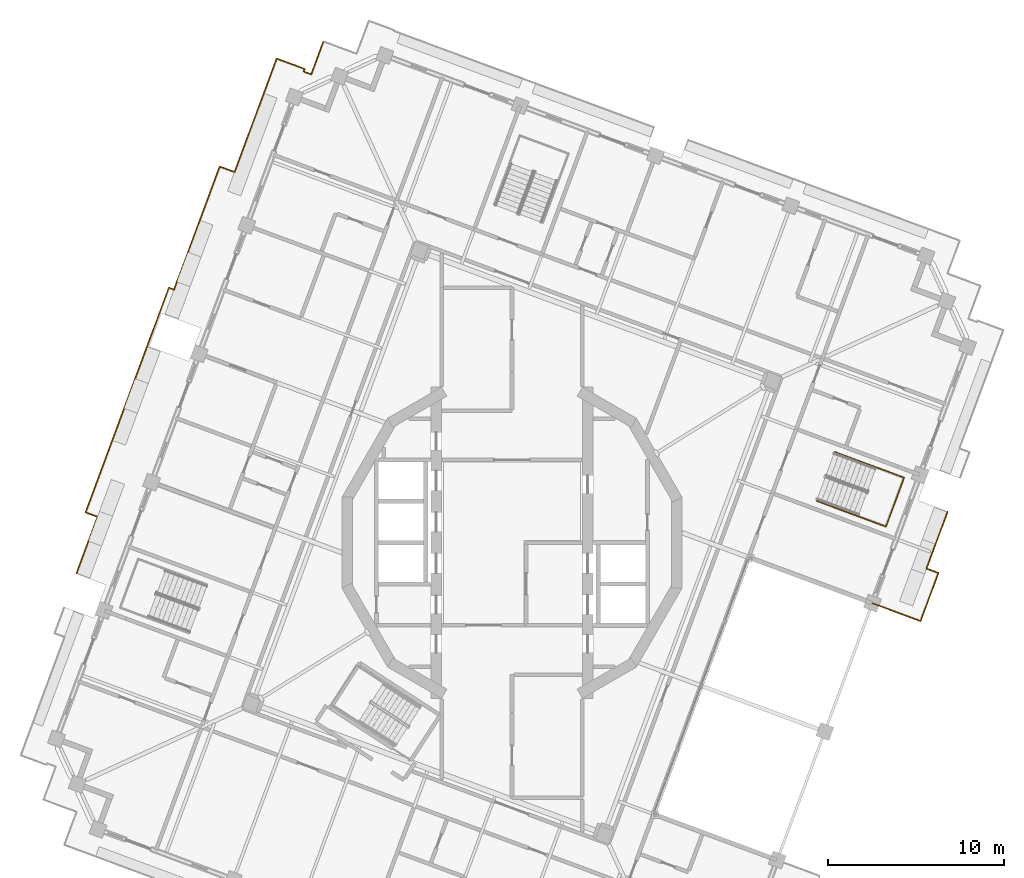
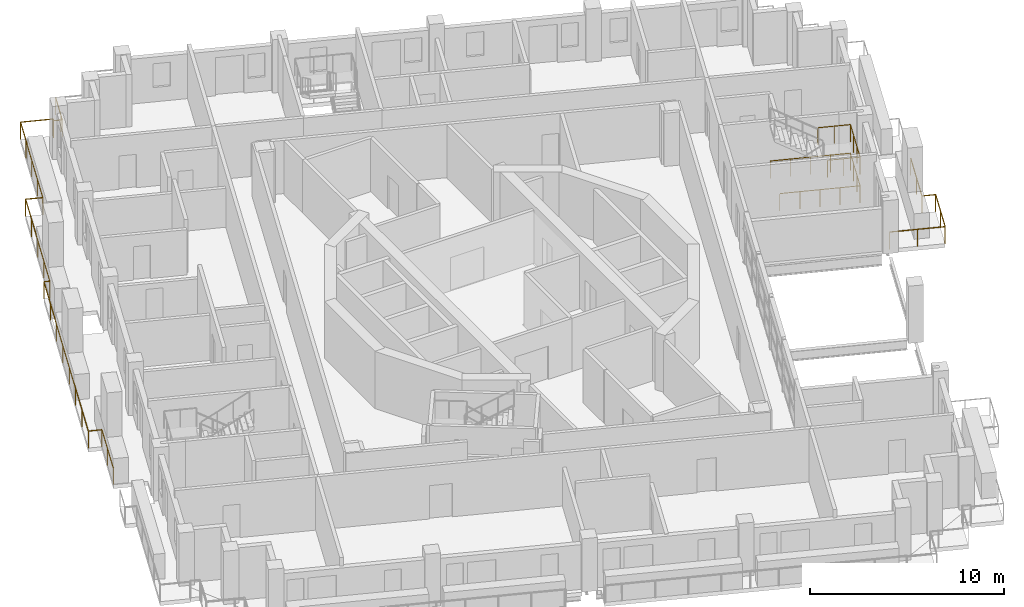
# One storey, part 16 of 19: 5 railings.
"""IFC4 building model written with IfcOpenShell, lengths in metres."""

from ifc_helpers import new_model, si_unit, direction, frame, origin, origin_2d, place, context, subcontext, project, spatial, circle, extrude, material, type_object, element, save


model = new_model("IFC4")

# Units and contexts
model_context = context("Model", 3, precision=1e-05, world=origin(), true_north=direction((0.0, 1.0)))
body_context = subcontext(model_context, "Body", "Model", "MODEL_VIEW")
ifc_project = project(units=[si_unit("LENGTHUNIT", "METRE"), si_unit("AREAUNIT", "SQUARE_METRE"), si_unit("VOLUMEUNIT", "CUBIC_METRE"), si_unit("PLANEANGLEUNIT", "RADIAN"), si_unit("MASSUNIT", "GRAM", prefix="KILO")], contexts=[model_context])

# Site, building, storey
site_placement = place(None, origin())
site = spatial("IfcSite", under=ifc_project, at=site_placement, CompositionType="ELEMENT")
building_placement = place(site_placement, origin())
building = spatial("IfcBuilding", under=site, at=building_placement, Name="Cantera Rosa Tower", CompositionType="ELEMENT")
storey_placement = place(building_placement, frame((0.0, 0.0, 334.89990234375)))
storey = spatial("IfcBuildingStorey", under=building, at=storey_placement, Name="L75", CompositionType="ELEMENT", Elevation=334.89990234375)

# Railings
ifc_material_1 = material(Name="Stainless steel and laminated glass", Category="steel")
railing_type_1 = type_object("IfcRailingType", Name="GUARD 1100", PredefinedType="BALUSTRADE", material=ifc_material_1)
railing_1_placement = place(storey_placement, frame((-24.750244140625, -1.748779296875, 0.0)))
element("IfcRailing", 1, at=railing_1_placement, inside=storey, type_object=railing_type_1, Name="GUARD L75-6", PredefinedType="BALUSTRADE", context=body_context, shape_type="SweptSolid", body=[
    extrude(circle(Radius=0.030029296875, at=origin_2d()), frame((0.0, 0.0, 1.070068359375), z_axis=(0.347455720104, 0.937696391465, 0.0), x_axis=(-0.937696391465, 0.347455720104, 0.0)), (0.0, 0.0, 1.0), 3.43115234375),
    extrude(circle(Radius=0.030029296875, at=origin_2d()), frame((1.192138671875, 3.21728515625, 1.070068359375), z_axis=(-0.937662671744, 0.347546707679, 0.0), x_axis=(-0.347546707679, -0.937662671744, 0.0)), (0.0, 0.0, 1.0), 0.718505859375),
    extrude(circle(Radius=0.030029296875, at=origin_2d()), frame((0.518310546875, 3.467041015625, 1.070068359375), z_axis=(0.347474337492, 0.937689492734, 0.0), x_axis=(-0.937689492734, 0.347474337492, 0.0)), (0.0, 0.0, 1.0), 13.6181640625),
    extrude(circle(Radius=0.030029296875, at=origin_2d()), frame((5.250244140625, 16.236572265625, 1.070068359375), z_axis=(0.937570310623, -0.347795791576, 0.0), x_axis=(0.347795791576, 0.937570310623, 0.0)), (0.0, 0.0, 1.0), 0.313720703125),
    extrude(circle(Radius=0.030029296875, at=origin_2d()), frame((5.54443359375, 16.12744140625, 1.070068359375), z_axis=(0.347483678672, 0.937686031173, 0.0), x_axis=(-0.937686031173, 0.347483678672, 0.0)), (0.0, 0.0, 1.0), 7.466552734375),
    extrude(circle(Radius=0.030029296875, at=origin_2d()), frame((8.138916015625, 23.128662109375, 1.070068359375), z_axis=(0.937641368545, -0.34760417718, 0.0), x_axis=(0.34760417718, 0.937641368545, 0.0)), (0.0, 0.0, 1.0), 0.9052734375),
    extrude(circle(Radius=0.030029296875, at=origin_2d()), frame((8.98779296875, 22.81396484375, 1.070068359375), z_axis=(0.347493627455, 0.937682344335, 0.0), x_axis=(-0.937682344335, 0.347493627455, 0.0)), (0.0, 0.0, 1.0), 6.874755859375),
    extrude(circle(Radius=0.030029296875, at=origin_2d()), frame((11.376708984375, 29.26025390625, 1.070068359375), z_axis=(0.93766211216, -0.347548217403, 0.0), x_axis=(0.347548217403, 0.93766211216, 0.0)), (0.0, 0.0, 1.0), 1.699951171875),
    extrude(circle(Radius=0.030029296875, at=origin_2d()), frame((12.970703125, 28.66943359375, 1.070068359375), z_axis=(-0.348345544994, -0.937366193802, 0.0), x_axis=(0.937366193802, -0.348345544994, 0.0)), (0.0, 0.0, 1.0), 0.154296875),
    extrude(circle(Radius=0.030029296875, at=origin_2d()), frame((12.9169921875, 28.52490234375, 1.070068359375), z_axis=(0.937800612421, -0.34717432414, 0.0), x_axis=(0.34717432414, 0.937800612421, 0.0)), (0.0, 0.0, 1.0), 0.454345703125),
    extrude(circle(Radius=0.030029296875, at=origin_2d()), frame((13.343017578125, 28.3671875, 1.070068359375), z_axis=(0.347349380186, 0.937735787994, 0.0), x_axis=(-0.937735787994, 0.347349380186, 0.0)), (0.0, 0.0, 1.0), 0.4541015625),
    extrude(circle(Radius=0.030029296875, at=origin_2d()), frame((13.500732421875, 28.79296875, 1.070068359375), z_axis=(0.347468671564, 0.937691592306, 0.0), x_axis=(-0.937691592306, 0.347468671564, 0.0)), (0.0, 0.0, 1.0), 1.5458984375),
    extrude(circle(Radius=0.02490234375, at=origin_2d()), origin(), (0.0, 0.0, 1.0), 1.0400390625),
    extrude(circle(Radius=0.02490234375, at=origin_2d()), frame((0.59619140625, 1.608642578125, 0.0)), (0.0, 0.0, 1.0), 1.0400390625),
    extrude(circle(Radius=0.02490234375, at=origin_2d()), frame((1.192138671875, 3.21728515625, 0.0)), (0.0, 0.0, 1.0), 1.0400390625),
    extrude(circle(Radius=0.02490234375, at=origin_2d()), frame((0.518310546875, 3.467041015625, 0.0)), (0.0, 0.0, 1.0), 1.0400390625),
    extrude(circle(Radius=0.02490234375, at=origin_2d()), frame((1.1943359375, 5.291259765625, 0.0)), (0.0, 0.0, 1.0), 1.0400390625),
    extrude(circle(Radius=0.02490234375, at=origin_2d()), frame((1.870361328125, 7.115478515625, 0.0)), (0.0, 0.0, 1.0), 1.0400390625),
    extrude(circle(Radius=0.02490234375, at=origin_2d()), frame((2.54638671875, 8.939697265625, 0.0)), (0.0, 0.0, 1.0), 1.0400390625),
    extrude(circle(Radius=0.02490234375, at=origin_2d()), frame((3.22216796875, 10.763916015625, 0.0)), (0.0, 0.0, 1.0), 1.0400390625),
    extrude(circle(Radius=0.02490234375, at=origin_2d()), frame((3.898193359375, 12.588134765625, 0.0)), (0.0, 0.0, 1.0), 1.0400390625),
    extrude(circle(Radius=0.02490234375, at=origin_2d()), frame((4.57421875, 14.412353515625, 0.0)), (0.0, 0.0, 1.0), 1.0400390625),
    extrude(circle(Radius=0.02490234375, at=origin_2d()), frame((5.250244140625, 16.236572265625, 0.0)), (0.0, 0.0, 1.0), 1.0400390625),
    extrude(circle(Radius=0.02490234375, at=origin_2d()), frame((5.54443359375, 16.12744140625, 0.0)), (0.0, 0.0, 1.0), 1.0400390625),
    extrude(circle(Radius=0.02490234375, at=origin_2d()), frame((6.193115234375, 17.877685546875, 0.0)), (0.0, 0.0, 1.0), 1.0400390625),
    extrude(circle(Radius=0.02490234375, at=origin_2d()), frame((6.841796875, 19.6279296875, 0.0)), (0.0, 0.0, 1.0), 1.0400390625),
    extrude(circle(Radius=0.02490234375, at=origin_2d()), frame((7.490234375, 21.37841796875, 0.0)), (0.0, 0.0, 1.0), 1.0400390625),
    extrude(circle(Radius=0.02490234375, at=origin_2d()), frame((8.138916015625, 23.128662109375, 0.0)), (0.0, 0.0, 1.0), 1.0400390625),
    extrude(circle(Radius=0.02490234375, at=origin_2d()), frame((8.98779296875, 22.81396484375, 0.0)), (0.0, 0.0, 1.0), 1.0400390625),
    extrude(circle(Radius=0.02490234375, at=origin_2d()), frame((9.5849609375, 24.425537109375, 0.0)), (0.0, 0.0, 1.0), 1.0400390625),
    extrude(circle(Radius=0.02490234375, at=origin_2d()), frame((10.18212890625, 26.037109375, 0.0)), (0.0, 0.0, 1.0), 1.0400390625),
    extrude(circle(Radius=0.02490234375, at=origin_2d()), frame((10.779541015625, 27.648681640625, 0.0)), (0.0, 0.0, 1.0), 1.0400390625),
    extrude(circle(Radius=0.02490234375, at=origin_2d()), frame((11.376708984375, 29.26025390625, 0.0)), (0.0, 0.0, 1.0), 1.0400390625),
    extrude(circle(Radius=0.02490234375, at=origin_2d()), frame((12.970703125, 28.66943359375, 0.0)), (0.0, 0.0, 1.0), 1.0400390625),
    extrude(circle(Radius=0.02490234375, at=origin_2d()), frame((12.9169921875, 28.52490234375, 0.0)), (0.0, 0.0, 1.0), 1.0400390625),
    extrude(circle(Radius=0.02490234375, at=origin_2d()), frame((13.343017578125, 28.3671875, 0.0)), (0.0, 0.0, 1.0), 1.0400390625),
    extrude(circle(Radius=0.02490234375, at=origin_2d()), frame((13.500732421875, 28.79296875, 0.0)), (0.0, 0.0, 1.0), 1.0400390625),
    extrude(circle(Radius=0.02490234375, at=origin_2d()), frame((14.037841796875, 30.242431640625, 0.0)), (0.0, 0.0, 1.0), 1.0400390625),
])
railing_2_placement = place(storey_placement, frame((24.23193359375, -1.71826171875, 0.0)))
element("IfcRailing", 2, at=railing_2_placement, inside=storey, type_object=railing_type_1, Name="GUARD L75-7", PredefinedType="BALUSTRADE", context=body_context, shape_type="SweptSolid", body=[
    extrude(circle(Radius=0.030029296875, at=origin_2d()), frame((0.0, 0.0, 1.070068359375), z_axis=(-0.347445111024, -0.937700322505, 0.0), x_axis=(0.937700322505, -0.347445111024, 0.0)), (0.0, 0.0, 1.0), 2.9189453125),
    extrude(circle(Radius=0.030029296875, at=origin_2d()), frame((-1.01416015625, -2.737060546875, 1.070068359375), z_axis=(-0.937695927175, 0.347456973105, 0.0), x_axis=(-0.347456973105, -0.937695927175, 0.0)), (0.0, 0.0, 1.0), 2.899169921875),
    extrude(circle(Radius=0.02490234375, at=origin_2d()), origin(), (0.0, 0.0, 1.0), 1.0400390625),
    extrude(circle(Radius=0.02490234375, at=origin_2d()), frame((-0.507080078125, -1.36865234375, 0.0)), (0.0, 0.0, 1.0), 1.0400390625),
    extrude(circle(Radius=0.02490234375, at=origin_2d()), frame((-1.01416015625, -2.737060546875, 0.0)), (0.0, 0.0, 1.0), 1.0400390625),
    extrude(circle(Radius=0.02490234375, at=origin_2d()), frame((-2.37353515625, -2.2333984375, 0.0)), (0.0, 0.0, 1.0), 1.0400390625),
    extrude(circle(Radius=0.02490234375, at=origin_2d()), frame((-3.732666015625, -1.729736328125, 0.0)), (0.0, 0.0, 1.0), 1.0400390625),
])
railing_3_placement = place(storey_placement, frame((24.750244140625, 1.748779296875, 0.0)))
element("IfcRailing", 3, at=railing_3_placement, inside=storey, type_object=railing_type_1, Name="GUARD L75-8", PredefinedType="BALUSTRADE", context=body_context, shape_type="SweptSolid", body=[
    extrude(circle(Radius=0.030029296875, at=origin_2d()), frame((0.0, 0.0, 1.070068359375), z_axis=(-0.347455720104, -0.937696391465, 0.0), x_axis=(0.937696391465, -0.347455720104, 0.0)), (0.0, 0.0, 1.0), 3.43115234375),
    extrude(circle(Radius=0.030029296875, at=origin_2d()), frame((-1.192138671875, -3.21728515625, 1.070068359375), z_axis=(0.937662671744, -0.347546707679, 0.0), x_axis=(0.347546707679, 0.937662671744, 0.0)), (0.0, 0.0, 1.0), 0.718505859375),
    extrude(circle(Radius=0.02490234375, at=origin_2d()), origin(), (0.0, 0.0, 1.0), 1.0400390625),
    extrude(circle(Radius=0.02490234375, at=origin_2d()), frame((-0.59619140625, -1.608642578125, 0.0)), (0.0, 0.0, 1.0), 1.0400390625),
    extrude(circle(Radius=0.02490234375, at=origin_2d()), frame((-1.192138671875, -3.21728515625, 0.0)), (0.0, 0.0, 1.0), 1.0400390625),
    extrude(circle(Radius=0.02490234375, at=origin_2d()), frame((-0.518310546875, -3.467041015625, 0.0)), (0.0, 0.0, 1.0), 1.0400390625),
])
ifc_material_2 = material(Name="Steel S355J2 (EN 10025-2)", Category="steel")
railing_type_2 = type_object("IfcRailingType", Name="STAIR GUARD 1100", PredefinedType="GUARDRAIL", material=ifc_material_2)
railing_4_placement = place(storey_placement, frame((17.31494140625, 2.37109375, 0.0)))
element("IfcRailing", 4, at=railing_4_placement, inside=storey, type_object=railing_type_2, Name="L75 ST-61 stair guard 4", PredefinedType="GUARDRAIL", context=body_context, shape_type="SweptSolid", body=[
    extrude(circle(Radius=0.02392578125, at=origin_2d()), frame((0.0, 0.0, 1.076171875), z_axis=(0.937682096729, -0.3474942956, 0.0), x_axis=(0.3474942956, 0.937682096729, 0.0)), (0.0, 0.0, 1.0), 4.197998046875),
    extrude(circle(Radius=0.02392578125, at=origin_2d()), frame((3.936279296875, -1.458740234375, 1.076171875), z_axis=(0.347472311651, 0.937690243436, 0.0), x_axis=(-0.937690243436, 0.347472311651, 0.0)), (0.0, 0.0, 1.0), 2.969970703125),
    extrude(circle(Radius=0.02392578125, at=origin_2d()), frame((4.96826171875, 1.326171875, 1.076171875), z_axis=(-0.937682096729, 0.3474942956, 0.0), x_axis=(-0.3474942956, -0.937682096729, 0.0)), (0.0, 0.0, 1.0), 4.197998046875),
    extrude(circle(Radius=0.02099609375, at=origin_2d()), origin(), (0.0, 0.0, 1.0), 1.052001953125),
    extrude(circle(Radius=0.02099609375, at=origin_2d()), frame((0.984130859375, -0.36474609375, 0.0)), (0.0, 0.0, 1.0), 1.052001953125),
    extrude(circle(Radius=0.02099609375, at=origin_2d()), frame((1.96826171875, -0.7294921875, 0.0)), (0.0, 0.0, 1.0), 1.052001953125),
    extrude(circle(Radius=0.02099609375, at=origin_2d()), frame((2.9521484375, -1.093994140625, 0.0)), (0.0, 0.0, 1.0), 1.052001953125),
    extrude(circle(Radius=0.02099609375, at=origin_2d()), frame((3.936279296875, -1.458740234375, 0.0)), (0.0, 0.0, 1.0), 1.052001953125),
    extrude(circle(Radius=0.02099609375, at=origin_2d()), frame((4.2802734375, -0.530517578125, 0.0)), (0.0, 0.0, 1.0), 1.052001953125),
    extrude(circle(Radius=0.02099609375, at=origin_2d()), frame((4.624267578125, 0.39794921875, 0.0)), (0.0, 0.0, 1.0), 1.052001953125),
    extrude(circle(Radius=0.02099609375, at=origin_2d()), frame((4.96826171875, 1.326171875, 0.0)), (0.0, 0.0, 1.0), 1.052001953125),
    extrude(circle(Radius=0.02099609375, at=origin_2d()), frame((3.984130859375, 1.69091796875, 0.0)), (0.0, 0.0, 1.0), 1.052001953125),
    extrude(circle(Radius=0.02099609375, at=origin_2d()), frame((3.0, 2.0556640625, 0.0)), (0.0, 0.0, 1.0), 1.052001953125),
    extrude(circle(Radius=0.02099609375, at=origin_2d()), frame((2.01611328125, 2.420166015625, 0.0)), (0.0, 0.0, 1.0), 1.052001953125),
    extrude(circle(Radius=0.02099609375, at=origin_2d()), frame((1.031982421875, 2.784912109375, 0.0)), (0.0, 0.0, 1.0), 1.052001953125),
])
railing_5_placement = place(storey_placement, frame((19.6552734375, 1.50390625, 1.800048828125)))
element("IfcRailing", 5, at=railing_5_placement, inside=storey, type_object=railing_type_2, Name="L75 ST-61 stair guard 5", PredefinedType="GUARDRAIL", context=body_context, shape_type="SweptSolid", body=[
    extrude(circle(Radius=0.02392578125, at=origin_2d()), frame((0.0, 0.0, 1.076171875), z_axis=(0.937660486946, -0.347552602091, 0.0), x_axis=(0.347552602091, 0.937660486946, 0.0)), (0.0, 0.0, 1.0), 1.7021484375),
    extrude(circle(Radius=0.02392578125, at=origin_2d()), frame((1.595947265625, -0.591552734375, 1.076171875), z_axis=(0.347472311651, 0.937690243436, 0.0), x_axis=(-0.937690243436, 0.347472311651, 0.0)), (0.0, 0.0, 1.0), 2.969970703125),
    extrude(circle(Radius=0.02392578125, at=origin_2d()), frame((2.6279296875, 2.193359375, 1.076171875), z_axis=(-0.937660486946, 0.347552602091, 0.0), x_axis=(-0.347552602091, -0.937660486946, 0.0)), (0.0, 0.0, 1.0), 1.7021484375),
    extrude(circle(Radius=0.02099609375, at=origin_2d()), origin(), (0.0, 0.0, 1.0), 1.052001953125),
    extrude(circle(Radius=0.02099609375, at=origin_2d()), frame((0.7978515625, -0.2958984375, 0.0)), (0.0, 0.0, 1.0), 1.052001953125),
    extrude(circle(Radius=0.02099609375, at=origin_2d()), frame((1.595947265625, -0.591552734375, 0.0)), (0.0, 0.0, 1.0), 1.052001953125),
    extrude(circle(Radius=0.02099609375, at=origin_2d()), frame((1.93994140625, 0.336669921875, 0.0)), (0.0, 0.0, 1.0), 1.052001953125),
    extrude(circle(Radius=0.02099609375, at=origin_2d()), frame((2.283935546875, 1.26513671875, 0.0)), (0.0, 0.0, 1.0), 1.052001953125),
    extrude(circle(Radius=0.02099609375, at=origin_2d()), frame((2.6279296875, 2.193359375, 0.0)), (0.0, 0.0, 1.0), 1.052001953125),
    extrude(circle(Radius=0.02099609375, at=origin_2d()), frame((1.830078125, 2.4892578125, 0.0)), (0.0, 0.0, 1.0), 1.052001953125),
    extrude(circle(Radius=0.02099609375, at=origin_2d()), frame((1.031982421875, 2.784912109375, 0.0)), (0.0, 0.0, 1.0), 1.052001953125),
])

save(model, "model.ifc")
